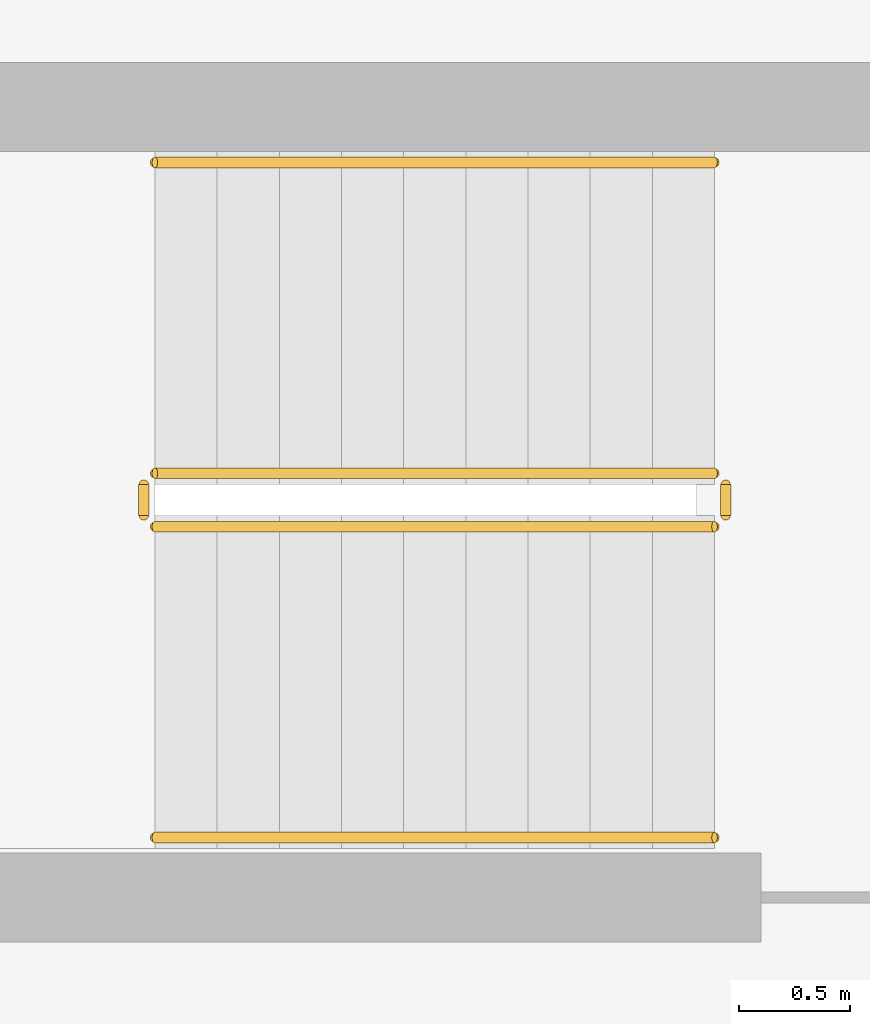
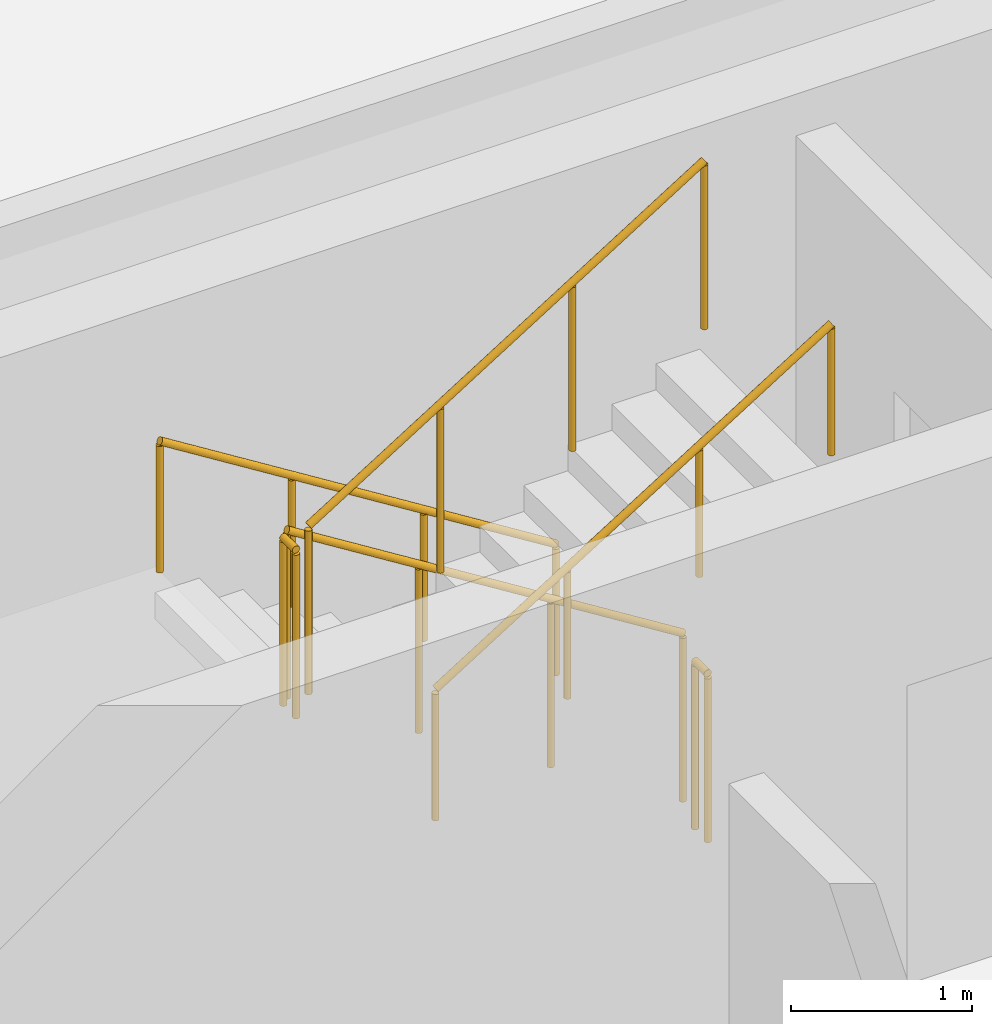
# One storey, part 24 of 26: 6 railings.
"""IFC4 building model written with IfcOpenShell, lengths in metres."""

import ifcopenshell
import ifcopenshell.guid

model = None  # the IFC model being written
_history = None  # IfcOwnerHistory: only IFC2X3 demands one
_inside = {}  # id of a spatial element -> (the spatial element, [elements in it])
_under = {}  # id of a project, library or spatial element -> (it, [spatial elements below it])
_declared = {}  # id of a project -> (the project, [libraries it declares])
_typed = {}  # id of a type object -> (the type object, [elements of that type])
_made_of = {}  # id of a material, layer set ... -> (it, [elements and type objects made of it])


def new_model(schema):
    """Start an empty IFC model of exactly this schema.

    Asked for "IFC4X3", IfcOpenShell would pick the latest addendum, in which some entities
    have other attributes; the version numbers below select the first issue.
    IFC2X3 requires an IfcOwnerHistory on every rooted entity: one is made here for all.
    """
    global model, _history
    if schema == "IFC4X3":
        model = ifcopenshell.file(schema_version=(4, 3, 0, 0))
    else:
        model = ifcopenshell.file(schema=schema)
    _inside.clear()
    _under.clear()
    _declared.clear()
    _typed.clear()
    _made_of.clear()
    _history = None
    if model.schema == "IFC2X3":
        org = make("IfcOrganization", Name="unknown")
        user = make(
            "IfcPersonAndOrganization",
            ThePerson=make("IfcPerson", FamilyName="unknown"),
            TheOrganization=org,
        )
        app = make(
            "IfcApplication",
            ApplicationDeveloper=org,
            Version="unknown",
            ApplicationFullName="unknown",
            ApplicationIdentifier="unknown",
        )
        _history = make(
            "IfcOwnerHistory",
            OwningUser=user,
            OwningApplication=app,
            ChangeAction="ADDED",
            CreationDate=0,
        )
    return model


def make(cls, **values):
    """One entity of the class cls with the attributes given. An attribute that is None is left unset."""
    return model.create_entity(
        cls, **{name: value for name, value in values.items() if value is not None}
    )


def rooted(cls, **values):
    """An entity with a GlobalId (a new one), such as an element, a storey or a relation."""
    return make(cls, GlobalId=ifcopenshell.guid.new(), OwnerHistory=_history, **values)


def si_unit(unit_type, name, prefix=None):
    """IfcSIUnit, for example si_unit("LENGTHUNIT", "METRE", prefix="MILLI")."""
    return make("IfcSIUnit", UnitType=unit_type, Prefix=prefix, Name=name)


def derived_unit(unit_type, elements):
    """IfcDerivedUnit: a product of units, each with its exponent."""
    return make(
        "IfcDerivedUnit",
        Elements=[
            make("IfcDerivedUnitElement", Unit=unit, Exponent=power)
            for unit, power in elements
        ],
        UnitType=unit_type,
    )


def assignment(units):
    """IfcUnitAssignment: the units of a project."""
    return None if units is None else make("IfcUnitAssignment", Units=units)


def point(xyz):
    """IfcCartesianPoint."""
    return None if xyz is None else make("IfcCartesianPoint", Coordinates=xyz)


def direction(xyz):
    """IfcDirection."""
    return None if xyz is None else make("IfcDirection", DirectionRatios=xyz)


def frame(location, z_axis=None, x_axis=None):
    """IfcAxis2Placement3D, a coordinate frame: its origin and axes. An axis left out is left unset."""
    return make(
        "IfcAxis2Placement3D",
        Location=point(location),
        Axis=direction(z_axis),
        RefDirection=direction(x_axis),
    )


def frame_2d(location, x_axis=None):
    """IfcAxis2Placement2D, a coordinate frame in the plane: its origin and x axis."""
    return make(
        "IfcAxis2Placement2D", Location=point(location), RefDirection=direction(x_axis)
    )


def origin():
    """The frame at (0, 0, 0) with its axes left unset."""
    return frame((0.0, 0.0, 0.0))


def origin_2d():
    """The frame at (0, 0) in the plane with its x axis left unset."""
    return frame_2d((0.0, 0.0))


def place(relative_to, where):
    """IfcLocalPlacement: puts the frame where relative to a parent placement (None: the world)."""
    return make(
        "IfcLocalPlacement", PlacementRelTo=relative_to, RelativePlacement=where
    )


def context(
    kind, dimensions, precision=None, world=None, true_north=None, identifier=None
):
    """IfcGeometricRepresentationContext, for example the 3D "Model" context."""
    return make(
        "IfcGeometricRepresentationContext",
        ContextIdentifier=identifier,
        ContextType=kind,
        CoordinateSpaceDimension=dimensions,
        Precision=precision,
        WorldCoordinateSystem=world,
        TrueNorth=true_north,
    )


def subcontext(parent, identifier, kind, view, scale=None):
    """IfcGeometricRepresentationSubContext, for example "Body" below "Model"."""
    return make(
        "IfcGeometricRepresentationSubContext",
        ContextIdentifier=identifier,
        ContextType=kind,
        ParentContext=parent,
        TargetScale=scale,
        TargetView=view,
    )


def project(units=None, contexts=None):
    """IfcProject with its units and contexts."""
    return rooted(
        "IfcProject",
        Name="project",
        RepresentationContexts=contexts,
        UnitsInContext=assignment(units),
    )


def spatial(cls, under=None, at=None, **own):
    """A site, building, storey or space (cls), placed at a placement, below another one or the project."""
    s = rooted(cls, ObjectPlacement=at, **own)
    if under is not None:
        _under.setdefault(under.id(), (under, []))[1].append(s)
    return s


def profile(cls, at=None, kind="AREA", **sizes):
    """A parametric profile (cls). Its sizes go by their IFC names, for example OverallWidth=200.0."""
    return make(cls, ProfileType=kind, Position=at, **sizes)


def circle(**sizes):
    """IfcCircleProfileDef."""
    return profile("IfcCircleProfileDef", **sizes)


def extrude(swept, where, along, depth):
    """IfcExtrudedAreaSolid: the profile swept, set in the frame where, extruded along a direction by depth."""
    return make(
        "IfcExtrudedAreaSolid",
        SweptArea=swept,
        Position=where,
        ExtrudedDirection=direction(along),
        Depth=depth,
    )


def shape(context_of_items, identifier, shape_type, items):
    """IfcShapeRepresentation: the items that make up one representation, for example the "Body"."""
    return make(
        "IfcShapeRepresentation",
        ContextOfItems=context_of_items,
        RepresentationIdentifier=identifier,
        RepresentationType=shape_type,
        Items=items,
    )


def material(Name=None, Category=None):
    """IfcMaterial."""
    return make("IfcMaterial", Name=Name, Category=Category)


def made_of(thing, what):
    """Note that an element or type object is made of a material, layer set ...; save() writes the relation."""
    if what is not None:
        _made_of.setdefault(what.id(), (what, []))[1].append(thing)
    return thing


def type_object(cls, material=None, **own):
    """A type object (cls), such as IfcWallType, which elements share."""
    return made_of(rooted(cls, **own), material)


def element(
    cls,
    number,
    at=None,
    inside=None,
    cuts=None,
    type_object=None,
    material=None,
    context=None,
    identifier="Body",
    shape_type=None,
    held_by="IfcProductDefinitionShape",
    body=None,
    shapes=None,
    **own,
):
    """One element of the class cls, such as IfcWall. Its Tag is "e" and its number.

    at: its placement. inside: the storey or other place that contains it. cuts: it is an
    opening in that element (IfcRelVoidsElement). A single representation is given by context,
    identifier, shape_type and body (its items); several are given by shapes. held_by: the class
    of the entity that holds the representations. save() writes the other relations.
    """
    e = rooted(cls, Tag="e%d" % number, ObjectPlacement=at, **own)
    if body is not None:
        shapes = [shape(context, identifier, shape_type, body)]
    if shapes is not None:
        e.Representation = make(held_by, Representations=shapes)
    if inside is not None:
        _inside.setdefault(inside.id(), (inside, []))[1].append(e)
    if cuts is not None:
        rooted(
            "IfcRelVoidsElement", RelatingBuildingElement=cuts, RelatedOpeningElement=e
        )
    if type_object is not None:
        _typed.setdefault(type_object.id(), (type_object, []))[1].append(e)
    return made_of(e, material)


def aggregate(whole, parts):
    """IfcRelAggregates: a whole, such as a stair, and the parts it consists of."""
    return rooted("IfcRelAggregates", RelatingObject=whole, RelatedObjects=parts)


def save(model, path):
    """Write the relations noted so far, then the file.

    IfcRelAggregates (storeys below a building ...), IfcRelContainedInSpatialStructure (elements
    in a storey), IfcRelDefinesByType, IfcRelAssociatesMaterial and IfcRelDeclares: one each for
    every whole, place, type object, material and project.
    """
    for whole, parts in _under.values():
        aggregate(whole, parts)
    for where, things in _inside.values():
        rooted(
            "IfcRelContainedInSpatialStructure",
            RelatedElements=things,
            RelatingStructure=where,
        )
    for kind, things in _typed.values():
        rooted("IfcRelDefinesByType", RelatedObjects=things, RelatingType=kind)
    for what, things in _made_of.values():
        rooted("IfcRelAssociatesMaterial", RelatedObjects=things, RelatingMaterial=what)
    for by, libraries in _declared.values():
        rooted("IfcRelDeclares", RelatingContext=by, RelatedDefinitions=libraries)
    model.write(path)


model = new_model("IFC4")

# Units and contexts
model_context = context("Model", 3, precision=1e-05, world=origin(), true_north=direction((0.0, 1.0)))
body_context = subcontext(model_context, "Body", "Model", "MODEL_VIEW")
ifc_project = project(units=[si_unit("LENGTHUNIT", "METRE"), si_unit("AREAUNIT", "SQUARE_METRE"), si_unit("VOLUMEUNIT", "CUBIC_METRE"), si_unit("PLANEANGLEUNIT", "RADIAN"), si_unit("MASSUNIT", "GRAM", prefix="KILO"), derived_unit("THERMALTRANSMITTANCEUNIT", [(si_unit("POWERUNIT", "WATT"), 1), (si_unit("LENGTHUNIT", "METRE"), -2), (si_unit("THERMODYNAMICTEMPERATUREUNIT", "KELVIN"), -1)])], contexts=[model_context])

# Site, building, storey
site_placement = place(None, origin())
site = spatial("IfcSite", under=ifc_project, at=site_placement, CompositionType="ELEMENT")
building_placement = place(site_placement, origin())
building = spatial("IfcBuilding", under=site, at=building_placement, Name="Kivonza Crest Hotel", CompositionType="ELEMENT")
storey_placement = place(building_placement, frame((0.0, 0.0, 127.5)))
storey = spatial("IfcBuildingStorey", under=building, at=storey_placement, Name="L34", CompositionType="ELEMENT", Elevation=127.5)

# Railings
ifc_material_1 = material(Name="Brushed stainless steel handrail", Category="steel")
railing_type_1 = type_object("IfcRailingType", Name="RL-HAND-900", PredefinedType="HANDRAIL", material=ifc_material_1)
railing_1_placement = place(storey_placement, frame((12.239990234375, 36.110107421875, 0.175048828125)))
element("IfcRailing", 1, at=railing_1_placement, inside=storey, type_object=railing_type_1, Name="L34 ST-T1-N stair handrail 1", PredefinedType="HANDRAIL", context=body_context, shape_type="SweptSolid", body=[
    extrude(circle(Radius=0.02392578125, at=origin_2d()), frame((0.0, 0.0, 0.8759765625), z_axis=(-0.848007534815, 0.0, 0.529984170421), x_axis=(0.0, -1.0, 0.0)), (0.0, 0.0, 1.0), 2.9716796875),
    extrude(circle(Radius=0.02099609375, at=origin_2d()), origin(), (0.0, 0.0, 1.0), 0.851806640625),
    extrude(circle(Radius=0.02099609375, at=origin_2d()), frame((-0.840087890625, 0.0, 0.52490234375)), (0.0, 0.0, 1.0), 0.851806640625),
    extrude(circle(Radius=0.02099609375, at=origin_2d()), frame((-1.679931640625, 0.0, 1.050048828125)), (0.0, 0.0, 1.0), 0.851806640625),
    extrude(circle(Radius=0.02099609375, at=origin_2d()), frame((-2.52001953125, 0.0, 1.574951171875)), (0.0, 0.0, 1.0), 0.851806640625),
])
railing_2_placement = place(storey_placement, frame((9.719970703125, 33.070068359375, 1.925048828125)))
element("IfcRailing", 2, at=railing_2_placement, inside=storey, type_object=railing_type_1, Name="L34 ST-T1-N stair handrail 2", PredefinedType="HANDRAIL", context=body_context, shape_type="SweptSolid", body=[
    extrude(circle(Radius=0.02392578125, at=origin_2d()), frame((0.0, 0.0, 0.8759765625), z_axis=(0.848007534815, 0.0, 0.529984170421), x_axis=(0.0, 1.0, 0.0)), (0.0, 0.0, 1.0), 2.9716796875),
    extrude(circle(Radius=0.02099609375, at=origin_2d()), origin(), (0.0, 0.0, 1.0), 0.851806640625),
    extrude(circle(Radius=0.02099609375, at=origin_2d()), frame((0.840087890625, 0.0, 0.52490234375)), (0.0, 0.0, 1.0), 0.851806640625),
    extrude(circle(Radius=0.02099609375, at=origin_2d()), frame((1.679931640625, 0.0, 1.050048828125)), (0.0, 0.0, 1.0), 0.851806640625),
    extrude(circle(Radius=0.02099609375, at=origin_2d()), frame((2.52001953125, 0.0, 1.574951171875)), (0.0, 0.0, 1.0), 0.851806640625),
])
ifc_material_2 = material(Name="Painted steel balustrade", Category="steel")
railing_type_2 = type_object("IfcRailingType", Name="RL-STAIR-1150", PredefinedType="BALUSTRADE", material=ifc_material_2)
railing_3_placement = place(storey_placement, frame((12.239990234375, 34.7099609375, 0.175048828125)))
element("IfcRailing", 3, at=railing_3_placement, inside=storey, type_object=railing_type_2, Name="L34 ST-T1-N stair guard 1", PredefinedType="BALUSTRADE", context=body_context, shape_type="SweptSolid", body=[
    extrude(circle(Radius=0.02392578125, at=origin_2d()), frame((0.0, 0.0, 1.1259765625), z_axis=(-0.848007534815, 0.0, 0.529984170421), x_axis=(0.0, -1.0, 0.0)), (0.0, 0.0, 1.0), 2.9716796875),
    extrude(circle(Radius=0.02099609375, at=origin_2d()), origin(), (0.0, 0.0, 1.0), 1.101806640625),
    extrude(circle(Radius=0.02099609375, at=origin_2d()), frame((-0.840087890625, 0.0, 0.52490234375)), (0.0, 0.0, 1.0), 1.101806640625),
    extrude(circle(Radius=0.02099609375, at=origin_2d()), frame((-1.679931640625, 0.0, 1.050048828125)), (0.0, 0.0, 1.0), 1.101806640625),
    extrude(circle(Radius=0.02099609375, at=origin_2d()), frame((-2.52001953125, 0.0, 1.574951171875)), (0.0, 0.0, 1.0), 1.101806640625),
])
railing_4_placement = place(storey_placement, frame((9.669921875, 34.659912109375, 1.75)))
element("IfcRailing", 4, at=railing_4_placement, inside=storey, type_object=railing_type_2, Name="L34 ST-T1-N stair guard 2", PredefinedType="BALUSTRADE", context=body_context, shape_type="SweptSolid", body=[
    extrude(circle(Radius=0.02392578125, at=origin_2d()), frame((0.0, 0.0, 1.1259765625), z_axis=(0.0, -1.0, 0.0), x_axis=(1.0, 0.0, 0.0)), (0.0, 0.0, 1.0), 0.139892578125),
    extrude(circle(Radius=0.02099609375, at=origin_2d()), origin(), (0.0, 0.0, 1.0), 1.101806640625),
    extrude(circle(Radius=0.02099609375, at=origin_2d()), frame((0.0, -0.139892578125, 0.0)), (0.0, 0.0, 1.0), 1.101806640625),
])
railing_5_placement = place(storey_placement, frame((9.719970703125, 34.469970703125, 1.925048828125)))
element("IfcRailing", 5, at=railing_5_placement, inside=storey, type_object=railing_type_2, Name="L34 ST-T1-N stair guard 3", PredefinedType="BALUSTRADE", context=body_context, shape_type="SweptSolid", body=[
    extrude(circle(Radius=0.02392578125, at=origin_2d()), frame((0.0, 0.0, 1.1259765625), z_axis=(0.848007534815, 0.0, 0.529984170421), x_axis=(0.0, 1.0, 0.0)), (0.0, 0.0, 1.0), 2.9716796875),
    extrude(circle(Radius=0.02099609375, at=origin_2d()), origin(), (0.0, 0.0, 1.0), 1.101806640625),
    extrude(circle(Radius=0.02099609375, at=origin_2d()), frame((0.840087890625, 0.0, 0.52490234375)), (0.0, 0.0, 1.0), 1.101806640625),
    extrude(circle(Radius=0.02099609375, at=origin_2d()), frame((1.679931640625, 0.0, 1.050048828125)), (0.0, 0.0, 1.0), 1.101806640625),
    extrude(circle(Radius=0.02099609375, at=origin_2d()), frame((2.52001953125, 0.0, 1.574951171875)), (0.0, 0.0, 1.0), 1.101806640625),
])
railing_6_placement = place(storey_placement, frame((12.2900390625, 34.659912109375, 0.0)))
element("IfcRailing", 6, at=railing_6_placement, inside=storey, type_object=railing_type_2, Name="L34 ST-T1-N stair guard 4", PredefinedType="BALUSTRADE", context=body_context, shape_type="SweptSolid", body=[
    extrude(circle(Radius=0.02392578125, at=origin_2d()), frame((0.0, 0.0, 1.1259765625), z_axis=(0.0, -1.0, 0.0), x_axis=(1.0, 0.0, 0.0)), (0.0, 0.0, 1.0), 0.139892578125),
    extrude(circle(Radius=0.02099609375, at=origin_2d()), origin(), (0.0, 0.0, 1.0), 1.101806640625),
    extrude(circle(Radius=0.02099609375, at=origin_2d()), frame((0.0, -0.139892578125, 0.0)), (0.0, 0.0, 1.0), 1.101806640625),
])

save(model, "model.ifc")
